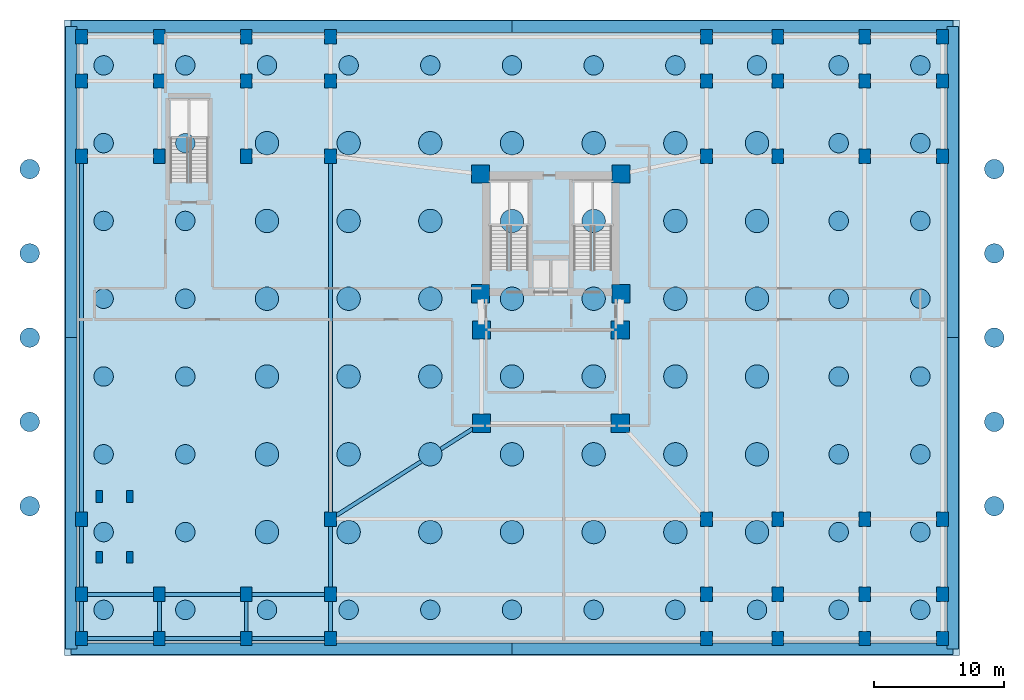
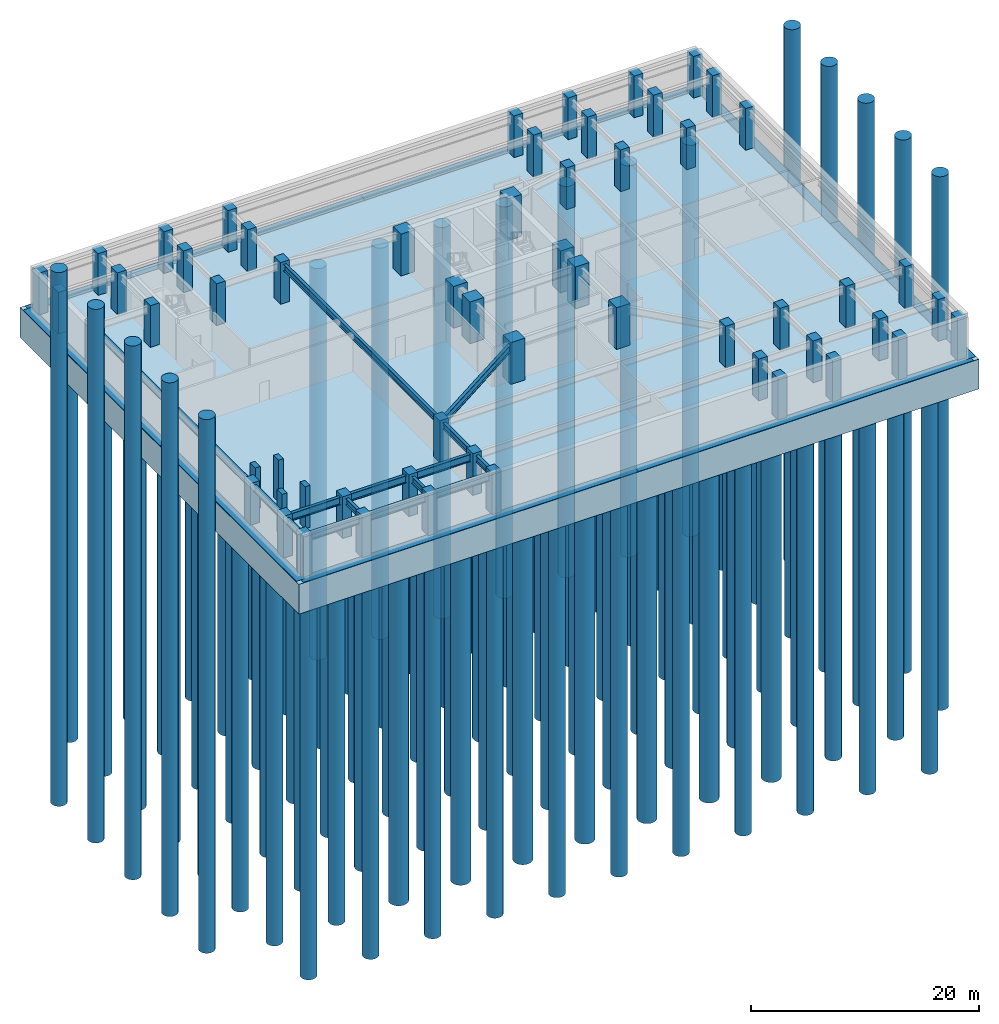
# One storey, part 1 of 7: 98 piles, 58 columns, 15 beams, 9 footings.
"""IFC4 building model written with IfcOpenShell, lengths in metres."""

from ifc_helpers import new_model, si_unit, direction, frame, origin, origin_2d, place, context, subcontext, project, spatial, polyline, rectangle, circle, i_section, outline, extrude, material, layer, layer_set, material_profile, profile_set, type_object, element, save


model = new_model("IFC4")

# Units and contexts
model_context = context("Model", 3, precision=1e-05, world=origin(), true_north=direction((0.0, 1.0)))
body_context = subcontext(model_context, "Body", "Model", "MODEL_VIEW")
ifc_project = project(units=[si_unit("LENGTHUNIT", "METRE"), si_unit("AREAUNIT", "SQUARE_METRE"), si_unit("VOLUMEUNIT", "CUBIC_METRE"), si_unit("PLANEANGLEUNIT", "RADIAN"), si_unit("MASSUNIT", "GRAM", prefix="KILO")], contexts=[model_context])

# Site, building, storey
site_placement = place(None, origin())
site = spatial("IfcSite", under=ifc_project, at=site_placement, CompositionType="ELEMENT")
building_placement = place(site_placement, origin())
building = spatial("IfcBuilding", under=site, at=building_placement, Name="Varnakorn Sky Granary", CompositionType="ELEMENT")
storey_placement = place(building_placement, frame((0.0, 0.0, -13.5)))
storey = spatial("IfcBuildingStorey", under=building, at=storey_placement, Name="B03", CompositionType="ELEMENT", Elevation=-13.5)

# Footings
ifc_material_1 = material(Name="Concrete C50/60", Category="concrete")
ifc_material_profile_1 = material_profile(ifc_material_1, rectangle(XDim=0.89990234375, YDim=1.10009765625, at=origin_2d()), Name="RC 900x1100")
ifc_profile_set_1 = profile_set([ifc_material_profile_1], Name="Concrete C50/60")
footing_type_1 = type_object("IfcFootingType", Name="FT-GB-900x1100", PredefinedType="FOOTING_BEAM", material=ifc_profile_set_1)
for number, where, z_axis, x_axis, name in (
    (1, (-34.0, -24.0, -0.550048828125), (1.0, 0.0, 0.0), (0.0, 1.0, 0.0), "Perimeter Ground Tie Beam 1"),
    (2, (0.0, -24.0, -0.550048828125), (1.0, 0.0, 0.0), (0.0, 1.0, 0.0), "Perimeter Ground Tie Beam 2"),
):
    element("IfcFooting", number, at=place(storey_placement, frame(where, z_axis=z_axis, x_axis=x_axis)), inside=storey, type_object=footing_type_1, Name=name, PredefinedType="FOOTING_BEAM", context=body_context, shape_type="SweptSolid", body=[
        extrude(rectangle(XDim=0.89990234375, YDim=1.10009765625, at=origin_2d()), origin(), (0.0, 0.0, 1.0), 34.0),
    ])
for number, where, z_axis, x_axis, name in (
    (3, (34.0, -24.0, -0.550048828125), (0.0, 1.0, 0.0), (-1.0, 0.0, 0.0), "Perimeter Ground Tie Beam 3"),
    (4, (34.0, 0.0, -0.550048828125), (0.0, 1.0, 0.0), (-1.0, 0.0, 0.0), "Perimeter Ground Tie Beam 4"),
):
    element("IfcFooting", number, at=place(storey_placement, frame(where, z_axis=z_axis, x_axis=x_axis)), inside=storey, type_object=footing_type_1, Name=name, PredefinedType="FOOTING_BEAM", context=body_context, shape_type="SweptSolid", body=[
        extrude(rectangle(XDim=0.89990234375, YDim=1.10009765625, at=origin_2d()), origin(), (0.0, 0.0, 1.0), 24.0),
    ])
for number, where, z_axis, x_axis, name in (
    (5, (34.0, 24.0, -0.550048828125), (-1.0, 0.0, 0.0), (0.0, -1.0, 0.0), "Perimeter Ground Tie Beam 5"),
    (6, (0.0, 24.0, -0.550048828125), (-1.0, 0.0, 0.0), (0.0, -1.0, 0.0), "Perimeter Ground Tie Beam 6"),
):
    element("IfcFooting", number, at=place(storey_placement, frame(where, z_axis=z_axis, x_axis=x_axis)), inside=storey, type_object=footing_type_1, Name=name, PredefinedType="FOOTING_BEAM", context=body_context, shape_type="SweptSolid", body=[
        extrude(rectangle(XDim=0.89990234375, YDim=1.10009765625, at=origin_2d()), origin(), (0.0, 0.0, 1.0), 34.0),
    ])
for number, where, z_axis, x_axis, name in (
    (7, (-34.0, 24.0, -0.550048828125), (0.0, -1.0, 0.0), (1.0, 0.0, 0.0), "Perimeter Ground Tie Beam 7"),
    (8, (-34.0, 0.0, -0.550048828125), (0.0, -1.0, 0.0), (1.0, 0.0, 0.0), "Perimeter Ground Tie Beam 8"),
):
    element("IfcFooting", number, at=place(storey_placement, frame(where, z_axis=z_axis, x_axis=x_axis)), inside=storey, type_object=footing_type_1, Name=name, PredefinedType="FOOTING_BEAM", context=body_context, shape_type="SweptSolid", body=[
        extrude(rectangle(XDim=0.89990234375, YDim=1.10009765625, at=origin_2d()), origin(), (0.0, 0.0, 1.0), 24.0),
    ])
ifc_layer = layer(ifc_material_1, 3.199951171875, Name="Concrete C50/60")
ifc_layer_set = layer_set([ifc_layer], Name="Concrete C50/60")
footing_type_2 = type_object("IfcFootingType", Name="FT-RAFT-3200", PredefinedType="PILE_CAP", material=ifc_layer_set)
footing_placement = place(storey_placement, frame((0.0, 0.0, -3.199951171875)))
element("IfcFooting", 9, at=footing_placement, inside=storey, type_object=footing_type_2, Name="Tower and Podium Piled Raft Foundation", PredefinedType="PILE_CAP", context=body_context, shape_type="SweptSolid", body=[
    extrude(outline(polyline([(-34.5, -24.5), (34.5, -24.5), (34.5, 24.5), (-34.5, 24.5), (-34.5, -24.5)])), origin(), (0.0, 0.0, 1.0), 3.199951171875),
])

# Piles
ifc_material_2 = material(Name="Concrete C45/55", Category="concrete")
ifc_material_profile_2 = material_profile(ifc_material_2, circle(Radius=0.75, at=origin_2d()), Name="PILE D1500")
ifc_profile_set_2 = profile_set([ifc_material_profile_2], Name="Concrete C45/55")
pile_type_1 = type_object("IfcPileType", Name="PL-BORED-1500", PredefinedType="BORED", material=ifc_profile_set_2)
for number, where, z_axis, x_axis, name in (
    (10, (-37.199951171875, -13.0, 12.169921875), (0.0, 0.0, -1.0), (1.0, 0.0, 0.0), "Canopy Bored Pile CP-1"),
    (11, (-37.199951171875, -6.5, 12.169921875), (0.0, 0.0, -1.0), (1.0, 0.0, 0.0), "Canopy Bored Pile CP-2"),
    (12, (-37.199951171875, 0.0, 12.169921875), (0.0, 0.0, -1.0), (1.0, 0.0, 0.0), "Canopy Bored Pile CP-3"),
    (13, (-37.199951171875, 6.5, 12.169921875), (0.0, 0.0, -1.0), (1.0, 0.0, 0.0), "Canopy Bored Pile CP-4"),
    (14, (-37.199951171875, 13.0, 12.169921875), (0.0, 0.0, -1.0), (1.0, 0.0, 0.0), "Canopy Bored Pile CP-5"),
    (15, (37.199951171875, -13.0, 12.169921875), (0.0, 0.0, -1.0), (1.0, 0.0, 0.0), "Canopy Bored Pile CP-6"),
    (16, (37.199951171875, -6.5, 12.169921875), (0.0, 0.0, -1.0), (1.0, 0.0, 0.0), "Canopy Bored Pile CP-7"),
    (17, (37.199951171875, 0.0, 12.169921875), (0.0, 0.0, -1.0), (1.0, 0.0, 0.0), "Canopy Bored Pile CP-8"),
    (18, (37.199951171875, 6.5, 12.169921875), (0.0, 0.0, -1.0), (1.0, 0.0, 0.0), "Canopy Bored Pile CP-9"),
    (19, (37.199951171875, 13.0, 12.169921875), (0.0, 0.0, -1.0), (1.0, 0.0, 0.0), "Canopy Bored Pile CP-10"),
):
    element("IfcPile", number, at=place(storey_placement, frame(where, z_axis=z_axis, x_axis=x_axis)), inside=storey, type_object=pile_type_1, Name=name, PredefinedType="BORED", context=body_context, shape_type="SweptSolid", body=[
        extrude(circle(Radius=0.75, at=origin_2d()), origin(), (0.0, 0.0, 1.0), 57.25),
    ])
for number, where, z_axis, x_axis, name in (
    (20, (-31.5, -21.0, -3.080078125), (0.0, 0.0, -1.0), (1.0, 0.0, 0.0), "Bored Pile P-001"),
    (21, (-31.5, -15.0, -3.080078125), (0.0, 0.0, -1.0), (1.0, 0.0, 0.0), "Bored Pile P-002"),
    (22, (-31.5, -9.0, -3.080078125), (0.0, 0.0, -1.0), (1.0, 0.0, 0.0), "Bored Pile P-003"),
    (23, (-31.5, -3.0, -3.080078125), (0.0, 0.0, -1.0), (1.0, 0.0, 0.0), "Bored Pile P-004"),
    (24, (-31.5, 3.0, -3.080078125), (0.0, 0.0, -1.0), (1.0, 0.0, 0.0), "Bored Pile P-005"),
    (25, (-31.5, 9.0, -3.080078125), (0.0, 0.0, -1.0), (1.0, 0.0, 0.0), "Bored Pile P-006"),
    (26, (-31.5, 15.0, -3.080078125), (0.0, 0.0, -1.0), (1.0, 0.0, 0.0), "Bored Pile P-007"),
    (27, (-31.5, 21.0, -3.080078125), (0.0, 0.0, -1.0), (1.0, 0.0, 0.0), "Bored Pile P-008"),
    (28, (-25.199951171875, -21.0, -3.080078125), (0.0, 0.0, -1.0), (1.0, 0.0, 0.0), "Bored Pile P-009"),
    (29, (-25.199951171875, -15.0, -3.080078125), (0.0, 0.0, -1.0), (1.0, 0.0, 0.0), "Bored Pile P-010"),
    (30, (-25.199951171875, -9.0, -3.080078125), (0.0, 0.0, -1.0), (1.0, 0.0, 0.0), "Bored Pile P-011"),
    (31, (-25.199951171875, -3.0, -3.080078125), (0.0, 0.0, -1.0), (1.0, 0.0, 0.0), "Bored Pile P-012"),
    (32, (-25.199951171875, 3.0, -3.080078125), (0.0, 0.0, -1.0), (1.0, 0.0, 0.0), "Bored Pile P-013"),
    (33, (-25.199951171875, 9.0, -3.080078125), (0.0, 0.0, -1.0), (1.0, 0.0, 0.0), "Bored Pile P-014"),
    (34, (-25.199951171875, 15.0, -3.080078125), (0.0, 0.0, -1.0), (1.0, 0.0, 0.0), "Bored Pile P-015"),
    (35, (-25.199951171875, 21.0, -3.080078125), (0.0, 0.0, -1.0), (1.0, 0.0, 0.0), "Bored Pile P-016"),
    (36, (-18.89990234375, -21.0, -3.080078125), (0.0, 0.0, -1.0), (1.0, 0.0, 0.0), "Bored Pile P-017"),
    (37, (-18.89990234375, 21.0, -3.080078125), (0.0, 0.0, -1.0), (1.0, 0.0, 0.0), "Bored Pile P-024"),
    (38, (-12.60009765625, -21.0, -3.080078125), (0.0, 0.0, -1.0), (1.0, 0.0, 0.0), "Bored Pile P-025"),
    (39, (-12.60009765625, 21.0, -3.080078125), (0.0, 0.0, -1.0), (1.0, 0.0, 0.0), "Bored Pile P-032"),
    (40, (-6.300048828125, -21.0, -3.080078125), (0.0, 0.0, -1.0), (1.0, 0.0, 0.0), "Bored Pile P-033"),
    (41, (-6.300048828125, 21.0, -3.080078125), (0.0, 0.0, -1.0), (1.0, 0.0, 0.0), "Bored Pile P-040"),
    (42, (0.0, -21.0, -3.080078125), (0.0, 0.0, -1.0), (1.0, 0.0, 0.0), "Bored Pile P-041"),
    (43, (0.0, 21.0, -3.080078125), (0.0, 0.0, -1.0), (1.0, 0.0, 0.0), "Bored Pile P-048"),
    (44, (6.300048828125, -21.0, -3.080078125), (0.0, 0.0, -1.0), (1.0, 0.0, 0.0), "Bored Pile P-049"),
    (45, (6.300048828125, 21.0, -3.080078125), (0.0, 0.0, -1.0), (1.0, 0.0, 0.0), "Bored Pile P-056"),
    (46, (12.60009765625, -21.0, -3.080078125), (0.0, 0.0, -1.0), (1.0, 0.0, 0.0), "Bored Pile P-057"),
    (47, (12.60009765625, 21.0, -3.080078125), (0.0, 0.0, -1.0), (1.0, 0.0, 0.0), "Bored Pile P-064"),
    (48, (18.89990234375, -21.0, -3.080078125), (0.0, 0.0, -1.0), (1.0, 0.0, 0.0), "Bored Pile P-065"),
    (49, (18.89990234375, 21.0, -3.080078125), (0.0, 0.0, -1.0), (1.0, 0.0, 0.0), "Bored Pile P-072"),
    (50, (25.199951171875, -21.0, -3.080078125), (0.0, 0.0, -1.0), (1.0, 0.0, 0.0), "Bored Pile P-073"),
    (51, (25.199951171875, -15.0, -3.080078125), (0.0, 0.0, -1.0), (1.0, 0.0, 0.0), "Bored Pile P-074"),
    (52, (25.199951171875, -9.0, -3.080078125), (0.0, 0.0, -1.0), (1.0, 0.0, 0.0), "Bored Pile P-075"),
    (53, (25.199951171875, -3.0, -3.080078125), (0.0, 0.0, -1.0), (1.0, 0.0, 0.0), "Bored Pile P-076"),
    (54, (25.199951171875, 3.0, -3.080078125), (0.0, 0.0, -1.0), (1.0, 0.0, 0.0), "Bored Pile P-077"),
    (55, (25.199951171875, 9.0, -3.080078125), (0.0, 0.0, -1.0), (1.0, 0.0, 0.0), "Bored Pile P-078"),
    (56, (25.199951171875, 15.0, -3.080078125), (0.0, 0.0, -1.0), (1.0, 0.0, 0.0), "Bored Pile P-079"),
    (57, (25.199951171875, 21.0, -3.080078125), (0.0, 0.0, -1.0), (1.0, 0.0, 0.0), "Bored Pile P-080"),
    (58, (31.5, -21.0, -3.080078125), (0.0, 0.0, -1.0), (1.0, 0.0, 0.0), "Bored Pile P-081"),
    (59, (31.5, -15.0, -3.080078125), (0.0, 0.0, -1.0), (1.0, 0.0, 0.0), "Bored Pile P-082"),
    (60, (31.5, -9.0, -3.080078125), (0.0, 0.0, -1.0), (1.0, 0.0, 0.0), "Bored Pile P-083"),
    (61, (31.5, -3.0, -3.080078125), (0.0, 0.0, -1.0), (1.0, 0.0, 0.0), "Bored Pile P-084"),
    (62, (31.5, 3.0, -3.080078125), (0.0, 0.0, -1.0), (1.0, 0.0, 0.0), "Bored Pile P-085"),
    (63, (31.5, 9.0, -3.080078125), (0.0, 0.0, -1.0), (1.0, 0.0, 0.0), "Bored Pile P-086"),
    (64, (31.5, 15.0, -3.080078125), (0.0, 0.0, -1.0), (1.0, 0.0, 0.0), "Bored Pile P-087"),
    (65, (31.5, 21.0, -3.080078125), (0.0, 0.0, -1.0), (1.0, 0.0, 0.0), "Bored Pile P-088"),
):
    element("IfcPile", number, at=place(storey_placement, frame(where, z_axis=z_axis, x_axis=x_axis)), inside=storey, type_object=pile_type_1, Name=name, PredefinedType="BORED", context=body_context, shape_type="SweptSolid", body=[
        extrude(circle(Radius=0.75, at=origin_2d()), origin(), (0.0, 0.0, 1.0), 42.0),
    ])
ifc_material_profile_3 = material_profile(ifc_material_2, circle(Radius=0.89990234375, at=origin_2d()), Name="PILE D1800")
ifc_profile_set_3 = profile_set([ifc_material_profile_3], Name="Concrete C45/55")
pile_type_2 = type_object("IfcPileType", Name="PL-BORED-1800", PredefinedType="BORED", material=ifc_profile_set_3)
for number, where, z_axis, x_axis, name in (
    (66, (-18.89990234375, -15.0, -3.080078125), (0.0, 0.0, -1.0), (1.0, 0.0, 0.0), "Bored Pile P-018"),
    (67, (-18.89990234375, -9.0, -3.080078125), (0.0, 0.0, -1.0), (1.0, 0.0, 0.0), "Bored Pile P-019"),
    (68, (-18.89990234375, -3.0, -3.080078125), (0.0, 0.0, -1.0), (1.0, 0.0, 0.0), "Bored Pile P-020"),
    (69, (-18.89990234375, 3.0, -3.080078125), (0.0, 0.0, -1.0), (1.0, 0.0, 0.0), "Bored Pile P-021"),
    (70, (-18.89990234375, 9.0, -3.080078125), (0.0, 0.0, -1.0), (1.0, 0.0, 0.0), "Bored Pile P-022"),
    (71, (-18.89990234375, 15.0, -3.080078125), (0.0, 0.0, -1.0), (1.0, 0.0, 0.0), "Bored Pile P-023"),
    (72, (-12.60009765625, -15.0, -3.080078125), (0.0, 0.0, -1.0), (1.0, 0.0, 0.0), "Bored Pile P-026"),
    (73, (-12.60009765625, -9.0, -3.080078125), (0.0, 0.0, -1.0), (1.0, 0.0, 0.0), "Bored Pile P-027"),
    (74, (-12.60009765625, -3.0, -3.080078125), (0.0, 0.0, -1.0), (1.0, 0.0, 0.0), "Bored Pile P-028"),
    (75, (-12.60009765625, 3.0, -3.080078125), (0.0, 0.0, -1.0), (1.0, 0.0, 0.0), "Bored Pile P-029"),
    (76, (-12.60009765625, 9.0, -3.080078125), (0.0, 0.0, -1.0), (1.0, 0.0, 0.0), "Bored Pile P-030"),
    (77, (-12.60009765625, 15.0, -3.080078125), (0.0, 0.0, -1.0), (1.0, 0.0, 0.0), "Bored Pile P-031"),
    (78, (-6.300048828125, -15.0, -3.080078125), (0.0, 0.0, -1.0), (1.0, 0.0, 0.0), "Bored Pile P-034"),
    (79, (-6.300048828125, -9.0, -3.080078125), (0.0, 0.0, -1.0), (1.0, 0.0, 0.0), "Bored Pile P-035"),
    (80, (-6.300048828125, -3.0, -3.080078125), (0.0, 0.0, -1.0), (1.0, 0.0, 0.0), "Bored Pile P-036"),
    (81, (-6.300048828125, 3.0, -3.080078125), (0.0, 0.0, -1.0), (1.0, 0.0, 0.0), "Bored Pile P-037"),
    (82, (-6.300048828125, 9.0, -3.080078125), (0.0, 0.0, -1.0), (1.0, 0.0, 0.0), "Bored Pile P-038"),
    (83, (-6.300048828125, 15.0, -3.080078125), (0.0, 0.0, -1.0), (1.0, 0.0, 0.0), "Bored Pile P-039"),
    (84, (0.0, -15.0, -3.080078125), (0.0, 0.0, -1.0), (1.0, 0.0, 0.0), "Bored Pile P-042"),
    (85, (0.0, -9.0, -3.080078125), (0.0, 0.0, -1.0), (1.0, 0.0, 0.0), "Bored Pile P-043"),
    (86, (0.0, -3.0, -3.080078125), (0.0, 0.0, -1.0), (1.0, 0.0, 0.0), "Bored Pile P-044"),
    (87, (0.0, 3.0, -3.080078125), (0.0, 0.0, -1.0), (1.0, 0.0, 0.0), "Bored Pile P-045"),
    (88, (0.0, 9.0, -3.080078125), (0.0, 0.0, -1.0), (1.0, 0.0, 0.0), "Bored Pile P-046"),
    (89, (0.0, 15.0, -3.080078125), (0.0, 0.0, -1.0), (1.0, 0.0, 0.0), "Bored Pile P-047"),
    (90, (6.300048828125, -15.0, -3.080078125), (0.0, 0.0, -1.0), (1.0, 0.0, 0.0), "Bored Pile P-050"),
    (91, (6.300048828125, -9.0, -3.080078125), (0.0, 0.0, -1.0), (1.0, 0.0, 0.0), "Bored Pile P-051"),
    (92, (6.300048828125, -3.0, -3.080078125), (0.0, 0.0, -1.0), (1.0, 0.0, 0.0), "Bored Pile P-052"),
    (93, (6.300048828125, 3.0, -3.080078125), (0.0, 0.0, -1.0), (1.0, 0.0, 0.0), "Bored Pile P-053"),
    (94, (6.300048828125, 9.0, -3.080078125), (0.0, 0.0, -1.0), (1.0, 0.0, 0.0), "Bored Pile P-054"),
    (95, (6.300048828125, 15.0, -3.080078125), (0.0, 0.0, -1.0), (1.0, 0.0, 0.0), "Bored Pile P-055"),
    (96, (12.60009765625, -15.0, -3.080078125), (0.0, 0.0, -1.0), (1.0, 0.0, 0.0), "Bored Pile P-058"),
    (97, (12.60009765625, -9.0, -3.080078125), (0.0, 0.0, -1.0), (1.0, 0.0, 0.0), "Bored Pile P-059"),
    (98, (12.60009765625, -3.0, -3.080078125), (0.0, 0.0, -1.0), (1.0, 0.0, 0.0), "Bored Pile P-060"),
    (99, (12.60009765625, 3.0, -3.080078125), (0.0, 0.0, -1.0), (1.0, 0.0, 0.0), "Bored Pile P-061"),
    (100, (12.60009765625, 9.0, -3.080078125), (0.0, 0.0, -1.0), (1.0, 0.0, 0.0), "Bored Pile P-062"),
    (101, (12.60009765625, 15.0, -3.080078125), (0.0, 0.0, -1.0), (1.0, 0.0, 0.0), "Bored Pile P-063"),
    (102, (18.89990234375, -15.0, -3.080078125), (0.0, 0.0, -1.0), (1.0, 0.0, 0.0), "Bored Pile P-066"),
    (103, (18.89990234375, -9.0, -3.080078125), (0.0, 0.0, -1.0), (1.0, 0.0, 0.0), "Bored Pile P-067"),
    (104, (18.89990234375, -3.0, -3.080078125), (0.0, 0.0, -1.0), (1.0, 0.0, 0.0), "Bored Pile P-068"),
    (105, (18.89990234375, 3.0, -3.080078125), (0.0, 0.0, -1.0), (1.0, 0.0, 0.0), "Bored Pile P-069"),
    (106, (18.89990234375, 9.0, -3.080078125), (0.0, 0.0, -1.0), (1.0, 0.0, 0.0), "Bored Pile P-070"),
    (107, (18.89990234375, 15.0, -3.080078125), (0.0, 0.0, -1.0), (1.0, 0.0, 0.0), "Bored Pile P-071"),
):
    element("IfcPile", number, at=place(storey_placement, frame(where, z_axis=z_axis, x_axis=x_axis)), inside=storey, type_object=pile_type_2, Name=name, PredefinedType="BORED", context=body_context, shape_type="SweptSolid", body=[
        extrude(circle(Radius=0.89990234375, at=origin_2d()), origin(), (0.0, 0.0, 1.0), 42.0),
    ])

# Columns
ifc_material_3 = material(Name="Concrete C60/75", Category="concrete")
ifc_material_profile_4 = material_profile(ifc_material_3, rectangle(XDim=1.39990234375, YDim=1.39990234375, at=origin_2d()), Name="RC 1400x1400")
ifc_profile_set_4 = profile_set([ifc_material_profile_4], Name="Concrete C60/75")
column_type_1 = type_object("IfcColumnType", Name="COL-MC-Z0", PredefinedType="COLUMN", material=ifc_profile_set_4)
for number, where, z_axis, x_axis, name in (
    (108, (-2.419921875, 12.6201171875, 0.0), (0.0, 0.0, 1.0), (1.0, 0.0, 0.0), "Backbone Mega-Column MC1 B03"),
    (109, (8.419921875, 12.6201171875, 0.0), (0.0, 0.0, 1.0), (1.0, 0.0, 0.0), "Backbone Mega-Column MC2 B03"),
    (110, (-2.419921875, 3.3798828125, 0.0), (0.0, 0.0, 1.0), (1.0, 0.0, 0.0), "Backbone Mega-Column MC3 B03"),
    (111, (8.419921875, 3.3798828125, 0.0), (0.0, 0.0, 1.0), (1.0, 0.0, 0.0), "Backbone Mega-Column MC4 B03"),
    (112, (-2.35009765625, 0.60009765625, 0.0), (0.0, 0.0, 1.0), (1.0, 0.0, 0.0), "Backbone Mega-Column MC5 B03"),
    (113, (8.35009765625, 0.60009765625, 0.0), (0.0, 0.0, 1.0), (1.0, 0.0, 0.0), "Backbone Mega-Column MC6 B03"),
    (114, (-2.35009765625, -6.60009765625, 0.0), (0.0, 0.0, 1.0), (1.0, 0.0, 0.0), "Backbone Mega-Column MC7 B03"),
    (115, (8.35009765625, -6.60009765625, 0.0), (0.0, 0.0, 1.0), (1.0, 0.0, 0.0), "Backbone Mega-Column MC8 B03"),
):
    element("IfcColumn", number, at=place(storey_placement, frame(where, z_axis=z_axis, x_axis=x_axis)), inside=storey, type_object=column_type_1, Name=name, PredefinedType="COLUMN", context=body_context, shape_type="SweptSolid", body=[
        extrude(rectangle(XDim=1.39990234375, YDim=1.39990234375, at=origin_2d()), origin(), (0.0, 0.0, 1.0), 4.47509765625),
    ])
ifc_material_profile_5 = material_profile(ifc_material_3, rectangle(XDim=0.89990234375, YDim=1.10009765625, at=origin_2d()), Name="RC 900x1100")
ifc_profile_set_5 = profile_set([ifc_material_profile_5], Name="Concrete C60/75")
column_type_2 = type_object("IfcColumnType", Name="COL-POD-1100", PredefinedType="COLUMN", material=ifc_profile_set_5)
for number, where, z_axis, x_axis, name in (
    (116, (-33.199951171875, -23.199951171875, 0.0), (0.0, 0.0, 1.0), (1.0, 0.0, 0.0), "Podium Column P11 B03"),
    (117, (-33.199951171875, -19.800048828125, 0.0), (0.0, 0.0, 1.0), (1.0, 0.0, 0.0), "Podium Column P12 B03"),
    (118, (-33.199951171875, -14.0, 0.0), (0.0, 0.0, 1.0), (1.0, 0.0, 0.0), "Podium Column P13 B03"),
    (119, (-33.199951171875, 14.0, 0.0), (0.0, 0.0, 1.0), (1.0, 0.0, 0.0), "Podium Column P14 B03"),
    (120, (-33.199951171875, 19.800048828125, 0.0), (0.0, 0.0, 1.0), (1.0, 0.0, 0.0), "Podium Column P15 B03"),
    (121, (-33.199951171875, 23.199951171875, 0.0), (0.0, 0.0, 1.0), (1.0, 0.0, 0.0), "Podium Column P16 B03"),
    (122, (-27.199951171875, -23.199951171875, 0.0), (0.0, 0.0, 1.0), (1.0, 0.0, 0.0), "Podium Column P21 B03"),
    (123, (-27.199951171875, -19.800048828125, 0.0), (0.0, 0.0, 1.0), (1.0, 0.0, 0.0), "Podium Column P22 B03"),
    (124, (-27.199951171875, 14.0, 0.0), (0.0, 0.0, 1.0), (1.0, 0.0, 0.0), "Podium Column P24 B03"),
    (125, (-27.199951171875, 19.800048828125, 0.0), (0.0, 0.0, 1.0), (1.0, 0.0, 0.0), "Podium Column P25 B03"),
    (126, (-27.199951171875, 23.199951171875, 0.0), (0.0, 0.0, 1.0), (1.0, 0.0, 0.0), "Podium Column P26 B03"),
    (127, (-20.5, -23.199951171875, 0.0), (0.0, 0.0, 1.0), (1.0, 0.0, 0.0), "Podium Column P31 B03"),
    (128, (-20.5, -19.800048828125, 0.0), (0.0, 0.0, 1.0), (1.0, 0.0, 0.0), "Podium Column P32 B03"),
    (129, (-20.5, 14.0, 0.0), (0.0, 0.0, 1.0), (1.0, 0.0, 0.0), "Podium Column P34 B03"),
    (130, (-20.5, 19.800048828125, 0.0), (0.0, 0.0, 1.0), (1.0, 0.0, 0.0), "Podium Column P35 B03"),
    (131, (-20.5, 23.199951171875, 0.0), (0.0, 0.0, 1.0), (1.0, 0.0, 0.0), "Podium Column P36 B03"),
    (132, (-14.0, -23.199951171875, 0.0), (0.0, 0.0, 1.0), (1.0, 0.0, 0.0), "Podium Column P41 B03"),
    (133, (-14.0, -19.800048828125, 0.0), (0.0, 0.0, 1.0), (1.0, 0.0, 0.0), "Podium Column P42 B03"),
    (134, (-14.0, -14.0, 0.0), (0.0, 0.0, 1.0), (1.0, 0.0, 0.0), "Podium Column P43 B03"),
    (135, (-14.0, 14.0, 0.0), (0.0, 0.0, 1.0), (1.0, 0.0, 0.0), "Podium Column P44 B03"),
    (136, (-14.0, 19.800048828125, 0.0), (0.0, 0.0, 1.0), (1.0, 0.0, 0.0), "Podium Column P45 B03"),
    (137, (-14.0, 23.199951171875, 0.0), (0.0, 0.0, 1.0), (1.0, 0.0, 0.0), "Podium Column P46 B03"),
    (138, (15.0, -23.199951171875, 0.0), (0.0, 0.0, 1.0), (1.0, 0.0, 0.0), "Podium Column P51 B03"),
    (139, (15.0, -19.800048828125, 0.0), (0.0, 0.0, 1.0), (1.0, 0.0, 0.0), "Podium Column P52 B03"),
    (140, (15.0, -14.0, 0.0), (0.0, 0.0, 1.0), (1.0, 0.0, 0.0), "Podium Column P53 B03"),
    (141, (15.0, 14.0, 0.0), (0.0, 0.0, 1.0), (1.0, 0.0, 0.0), "Podium Column P54 B03"),
    (142, (15.0, 19.800048828125, 0.0), (0.0, 0.0, 1.0), (1.0, 0.0, 0.0), "Podium Column P55 B03"),
    (143, (15.0, 23.199951171875, 0.0), (0.0, 0.0, 1.0), (1.0, 0.0, 0.0), "Podium Column P56 B03"),
    (144, (20.5, -23.199951171875, 0.0), (0.0, 0.0, 1.0), (1.0, 0.0, 0.0), "Podium Column P61 B03"),
    (145, (20.5, -19.800048828125, 0.0), (0.0, 0.0, 1.0), (1.0, 0.0, 0.0), "Podium Column P62 B03"),
    (146, (20.5, -14.0, 0.0), (0.0, 0.0, 1.0), (1.0, 0.0, 0.0), "Podium Column P63 B03"),
    (147, (20.5, 14.0, 0.0), (0.0, 0.0, 1.0), (1.0, 0.0, 0.0), "Podium Column P64 B03"),
    (148, (20.5, 19.800048828125, 0.0), (0.0, 0.0, 1.0), (1.0, 0.0, 0.0), "Podium Column P65 B03"),
    (149, (20.5, 23.199951171875, 0.0), (0.0, 0.0, 1.0), (1.0, 0.0, 0.0), "Podium Column P66 B03"),
    (150, (27.199951171875, -23.199951171875, 0.0), (0.0, 0.0, 1.0), (1.0, 0.0, 0.0), "Podium Column P71 B03"),
    (151, (27.199951171875, -19.800048828125, 0.0), (0.0, 0.0, 1.0), (1.0, 0.0, 0.0), "Podium Column P72 B03"),
    (152, (27.199951171875, -14.0, 0.0), (0.0, 0.0, 1.0), (1.0, 0.0, 0.0), "Podium Column P73 B03"),
    (153, (27.199951171875, 14.0, 0.0), (0.0, 0.0, 1.0), (1.0, 0.0, 0.0), "Podium Column P74 B03"),
    (154, (27.199951171875, 19.800048828125, 0.0), (0.0, 0.0, 1.0), (1.0, 0.0, 0.0), "Podium Column P75 B03"),
    (155, (27.199951171875, 23.199951171875, 0.0), (0.0, 0.0, 1.0), (1.0, 0.0, 0.0), "Podium Column P76 B03"),
    (156, (33.199951171875, -23.199951171875, 0.0), (0.0, 0.0, 1.0), (1.0, 0.0, 0.0), "Podium Column P81 B03"),
    (157, (33.199951171875, -19.800048828125, 0.0), (0.0, 0.0, 1.0), (1.0, 0.0, 0.0), "Podium Column P82 B03"),
    (158, (33.199951171875, -14.0, 0.0), (0.0, 0.0, 1.0), (1.0, 0.0, 0.0), "Podium Column P83 B03"),
    (159, (33.199951171875, 14.0, 0.0), (0.0, 0.0, 1.0), (1.0, 0.0, 0.0), "Podium Column P84 B03"),
    (160, (33.199951171875, 19.800048828125, 0.0), (0.0, 0.0, 1.0), (1.0, 0.0, 0.0), "Podium Column P85 B03"),
    (161, (33.199951171875, 23.199951171875, 0.0), (0.0, 0.0, 1.0), (1.0, 0.0, 0.0), "Podium Column P86 B03"),
):
    element("IfcColumn", number, at=place(storey_placement, frame(where, z_axis=z_axis, x_axis=x_axis)), inside=storey, type_object=column_type_2, Name=name, PredefinedType="COLUMN", context=body_context, shape_type="SweptSolid", body=[
        extrude(rectangle(XDim=0.89990234375, YDim=1.10009765625, at=origin_2d()), origin(), (0.0, 0.0, 1.0), 4.47509765625),
    ])
ifc_material_profile_6 = material_profile(ifc_material_1, rectangle(XDim=0.5, YDim=0.89990234375, at=origin_2d()), Name="RC 500x900")
ifc_profile_set_6 = profile_set([ifc_material_profile_6], Name="Concrete C50/60")
column_type_3 = type_object("IfcColumnType", Name="COL-RMP-500", PredefinedType="COLUMN", material=ifc_profile_set_6)
for number, where, z_axis, x_axis, name in (
    (162, (-31.85009765625, -16.949951171875, 0.0), (0.0, 0.0, 1.0), (1.0, 0.0, 0.0), "Vehicle Ramp Support Column 1 B03"),
    (163, (-29.5, -16.949951171875, 0.0), (0.0, 0.0, 1.0), (1.0, 0.0, 0.0), "Vehicle Ramp Support Column 2 B03"),
    (164, (-31.85009765625, -12.25, 0.0), (0.0, 0.0, 1.0), (1.0, 0.0, 0.0), "Vehicle Ramp Support Column 3 B03"),
    (165, (-29.5, -12.25, 0.0), (0.0, 0.0, 1.0), (1.0, 0.0, 0.0), "Vehicle Ramp Support Column 4 B03"),
):
    element("IfcColumn", number, at=place(storey_placement, frame(where, z_axis=z_axis, x_axis=x_axis)), inside=storey, type_object=column_type_3, Name=name, PredefinedType="COLUMN", context=body_context, shape_type="SweptSolid", body=[
        extrude(rectangle(XDim=0.5, YDim=0.89990234375, at=origin_2d()), origin(), (0.0, 0.0, 1.0), 4.491943359375),
    ])

# Beams
ifc_material_4 = material(Name="Steel S355JR", Category="steel")
ifc_material_profile_7 = material_profile(ifc_material_4, i_section(OverallWidth=0.300048828125, OverallDepth=0.699951171875, WebThickness=0.01708984375, FlangeThickness=0.031982421875, at=origin_2d()), Name="HE 700 B")
ifc_profile_set_7 = profile_set([ifc_material_profile_7], Name="Steel S355JR")
beam_type_1 = type_object("IfcBeamType", Name="BM-PG-700", PredefinedType="T_BEAM", material=ifc_profile_set_7)
beam_1_placement = place(storey_placement, frame((-33.199951171875, -22.780029296875, 3.830078125), z_axis=(0.0, 1.0, 0.0), x_axis=(-1.0, 0.0, 0.0)))
element("IfcBeam", 166, at=beam_1_placement, inside=storey, type_object=beam_type_1, Name="Podium Y-Girder GY39 B03", PredefinedType="T_BEAM", context=body_context, shape_type="SweptSolid", body=[
    extrude(i_section(OverallWidth=0.300048828125, OverallDepth=0.699951171875, WebThickness=0.01708984375, FlangeThickness=0.031982421875, at=origin_2d()), origin(), (0.0, 0.0, 1.0), 2.56005859375),
])
beam_2_placement = place(storey_placement, frame((-33.199951171875, -19.3798828125, 3.830078125), z_axis=(0.0, 1.0, 0.0), x_axis=(-1.0, 0.0, 0.0)))
element("IfcBeam", 167, at=beam_2_placement, inside=storey, type_object=beam_type_1, Name="Podium Y-Girder GY40 B03", PredefinedType="T_BEAM", context=body_context, shape_type="SweptSolid", body=[
    extrude(i_section(OverallWidth=0.300048828125, OverallDepth=0.699951171875, WebThickness=0.01708984375, FlangeThickness=0.031982421875, at=origin_2d()), origin(), (0.0, 0.0, 1.0), 4.9599609375),
])
beam_3_placement = place(storey_placement, frame((-33.199951171875, -13.580078125, 3.830078125), z_axis=(0.0, 1.0, 0.0), x_axis=(-1.0, 0.0, 0.0)))
element("IfcBeam", 168, at=beam_3_placement, inside=storey, type_object=beam_type_1, Name="Podium Y-Girder GY41 B03", PredefinedType="T_BEAM", context=body_context, shape_type="SweptSolid", body=[
    extrude(i_section(OverallWidth=0.300048828125, OverallDepth=0.699951171875, WebThickness=0.01708984375, FlangeThickness=0.031982421875, at=origin_2d()), origin(), (0.0, 0.0, 1.0), 27.16015625),
])
for number, where, z_axis, x_axis, name in (
    (169, (-27.199951171875, -22.780029296875, 3.830078125), (0.0, 1.0, 0.0), (-1.0, 0.0, 0.0), "Podium Y-Girder GY44 B03"),
    (170, (-20.5, -22.780029296875, 3.830078125), (0.0, 1.0, 0.0), (-1.0, 0.0, 0.0), "Podium Y-Girder GY47 B03"),
    (171, (-14.0, -22.780029296875, 3.830078125), (0.0, 1.0, 0.0), (-1.0, 0.0, 0.0), "Podium Y-Girder GY50 B03"),
):
    element("IfcBeam", number, at=place(storey_placement, frame(where, z_axis=z_axis, x_axis=x_axis)), inside=storey, type_object=beam_type_1, Name=name, PredefinedType="T_BEAM", context=body_context, shape_type="SweptSolid", body=[
        extrude(i_section(OverallWidth=0.300048828125, OverallDepth=0.699951171875, WebThickness=0.01708984375, FlangeThickness=0.031982421875, at=origin_2d()), origin(), (0.0, 0.0, 1.0), 2.56005859375),
    ])
beam_4_placement = place(storey_placement, frame((-14.0, -19.3798828125, 3.830078125), z_axis=(0.0, 1.0, 0.0), x_axis=(-1.0, 0.0, 0.0)))
element("IfcBeam", 172, at=beam_4_placement, inside=storey, type_object=beam_type_1, Name="Podium Y-Girder GY51 B03", PredefinedType="T_BEAM", context=body_context, shape_type="SweptSolid", body=[
    extrude(i_section(OverallWidth=0.300048828125, OverallDepth=0.699951171875, WebThickness=0.01708984375, FlangeThickness=0.031982421875, at=origin_2d()), origin(), (0.0, 0.0, 1.0), 4.9599609375),
])
beam_5_placement = place(storey_placement, frame((-14.0, -13.580078125, 3.830078125), z_axis=(0.0, 1.0, 0.0), x_axis=(-1.0, 0.0, 0.0)))
element("IfcBeam", 173, at=beam_5_placement, inside=storey, type_object=beam_type_1, Name="Podium Y-Girder GY52 B03", PredefinedType="T_BEAM", context=body_context, shape_type="SweptSolid", body=[
    extrude(i_section(OverallWidth=0.300048828125, OverallDepth=0.699951171875, WebThickness=0.01708984375, FlangeThickness=0.031982421875, at=origin_2d()), origin(), (0.0, 0.0, 1.0), 27.16015625),
])
ifc_material_profile_8 = material_profile(ifc_material_4, i_section(OverallWidth=0.300048828125, OverallDepth=0.800048828125, WebThickness=0.017578125, FlangeThickness=0.032958984375, at=origin_2d()), Name="HE 800 B")
ifc_profile_set_8 = profile_set([ifc_material_profile_8], Name="Steel S355JR")
beam_type_2 = type_object("IfcBeamType", Name="BM-PG-800", PredefinedType="BEAM", material=ifc_profile_set_8)
beam_6_placement = place(storey_placement, frame((-32.780029296875, -23.199951171875, 3.780029296875), z_axis=(1.0, 0.0, 0.0), x_axis=(0.0, 1.0, 0.0)))
element("IfcBeam", 174, at=beam_6_placement, inside=storey, type_object=beam_type_2, Name="Podium X-Girder GX01 B03", PredefinedType="BEAM", context=body_context, shape_type="SweptSolid", body=[
    extrude(i_section(OverallWidth=0.300048828125, OverallDepth=0.800048828125, WebThickness=0.017578125, FlangeThickness=0.032958984375, at=origin_2d()), origin(), (0.0, 0.0, 1.0), 5.159912109375),
])
beam_7_placement = place(storey_placement, frame((-26.780029296875, -23.199951171875, 3.780029296875), z_axis=(1.0, 0.0, 0.0), x_axis=(0.0, 1.0, 0.0)))
element("IfcBeam", 175, at=beam_7_placement, inside=storey, type_object=beam_type_2, Name="Podium X-Girder GX02 B03", PredefinedType="BEAM", context=body_context, shape_type="SweptSolid", body=[
    extrude(i_section(OverallWidth=0.300048828125, OverallDepth=0.800048828125, WebThickness=0.017578125, FlangeThickness=0.032958984375, at=origin_2d()), origin(), (0.0, 0.0, 1.0), 5.860107421875),
])
beam_8_placement = place(storey_placement, frame((-20.080078125, -23.199951171875, 3.780029296875), z_axis=(1.0, 0.0, 0.0), x_axis=(0.0, 1.0, 0.0)))
element("IfcBeam", 176, at=beam_8_placement, inside=storey, type_object=beam_type_2, Name="Podium X-Girder GX03 B03", PredefinedType="BEAM", context=body_context, shape_type="SweptSolid", body=[
    extrude(i_section(OverallWidth=0.300048828125, OverallDepth=0.800048828125, WebThickness=0.017578125, FlangeThickness=0.032958984375, at=origin_2d()), origin(), (0.0, 0.0, 1.0), 5.66015625),
])
beam_9_placement = place(storey_placement, frame((-32.780029296875, -19.800048828125, 3.780029296875), z_axis=(1.0, 0.0, 0.0), x_axis=(0.0, 1.0, 0.0)))
element("IfcBeam", 177, at=beam_9_placement, inside=storey, type_object=beam_type_2, Name="Podium X-Girder GX08 B03", PredefinedType="BEAM", context=body_context, shape_type="SweptSolid", body=[
    extrude(i_section(OverallWidth=0.300048828125, OverallDepth=0.800048828125, WebThickness=0.017578125, FlangeThickness=0.032958984375, at=origin_2d()), origin(), (0.0, 0.0, 1.0), 5.159912109375),
])
beam_10_placement = place(storey_placement, frame((-26.780029296875, -19.800048828125, 3.780029296875), z_axis=(1.0, 0.0, 0.0), x_axis=(0.0, 1.0, 0.0)))
element("IfcBeam", 178, at=beam_10_placement, inside=storey, type_object=beam_type_2, Name="Podium X-Girder GX09 B03", PredefinedType="BEAM", context=body_context, shape_type="SweptSolid", body=[
    extrude(i_section(OverallWidth=0.300048828125, OverallDepth=0.800048828125, WebThickness=0.017578125, FlangeThickness=0.032958984375, at=origin_2d()), origin(), (0.0, 0.0, 1.0), 5.860107421875),
])
beam_11_placement = place(storey_placement, frame((-20.080078125, -19.800048828125, 3.780029296875), z_axis=(1.0, 0.0, 0.0), x_axis=(0.0, 1.0, 0.0)))
element("IfcBeam", 179, at=beam_11_placement, inside=storey, type_object=beam_type_2, Name="Podium X-Girder GX10 B03", PredefinedType="BEAM", context=body_context, shape_type="SweptSolid", body=[
    extrude(i_section(OverallWidth=0.300048828125, OverallDepth=0.800048828125, WebThickness=0.017578125, FlangeThickness=0.032958984375, at=origin_2d()), origin(), (0.0, 0.0, 1.0), 5.66015625),
])
beam_12_placement = place(storey_placement, frame((-13.6455078125, -13.77490234375, 3.780029296875), z_axis=(0.844104836764, 0.536178164933, 0.0), x_axis=(-0.536178164933, 0.844104836764, 0.0)))
element("IfcBeam", 180, at=beam_12_placement, inside=storey, type_object=beam_type_2, Name="Podium Core Tie Girder 2 B03", PredefinedType="BEAM", context=body_context, shape_type="SweptSolid", body=[
    extrude(i_section(OverallWidth=0.300048828125, OverallDepth=0.800048828125, WebThickness=0.017578125, FlangeThickness=0.032958984375, at=origin_2d()), origin(), (0.0, 0.0, 1.0), 12.961669921875),
])

save(model, "model.ifc")
